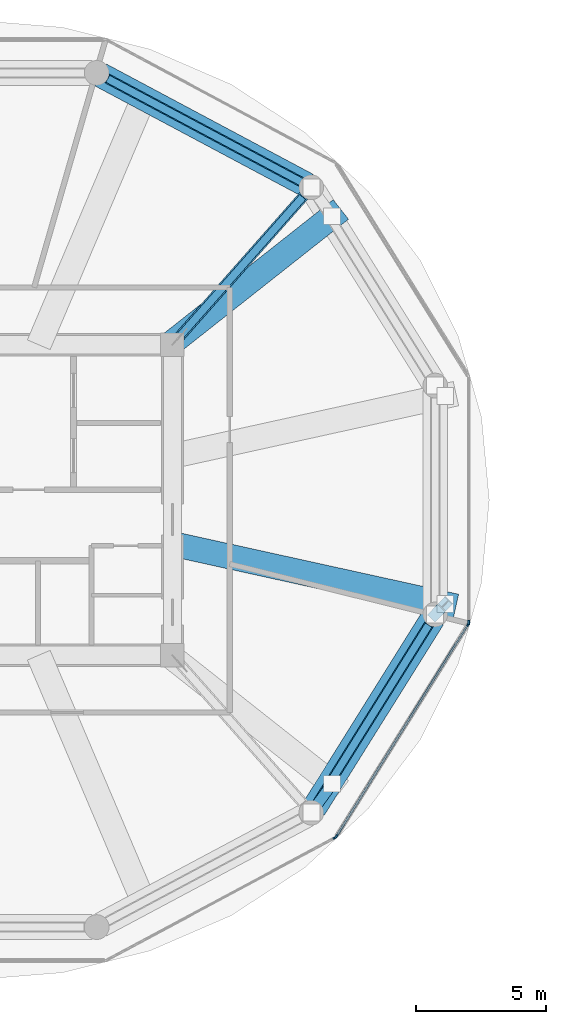
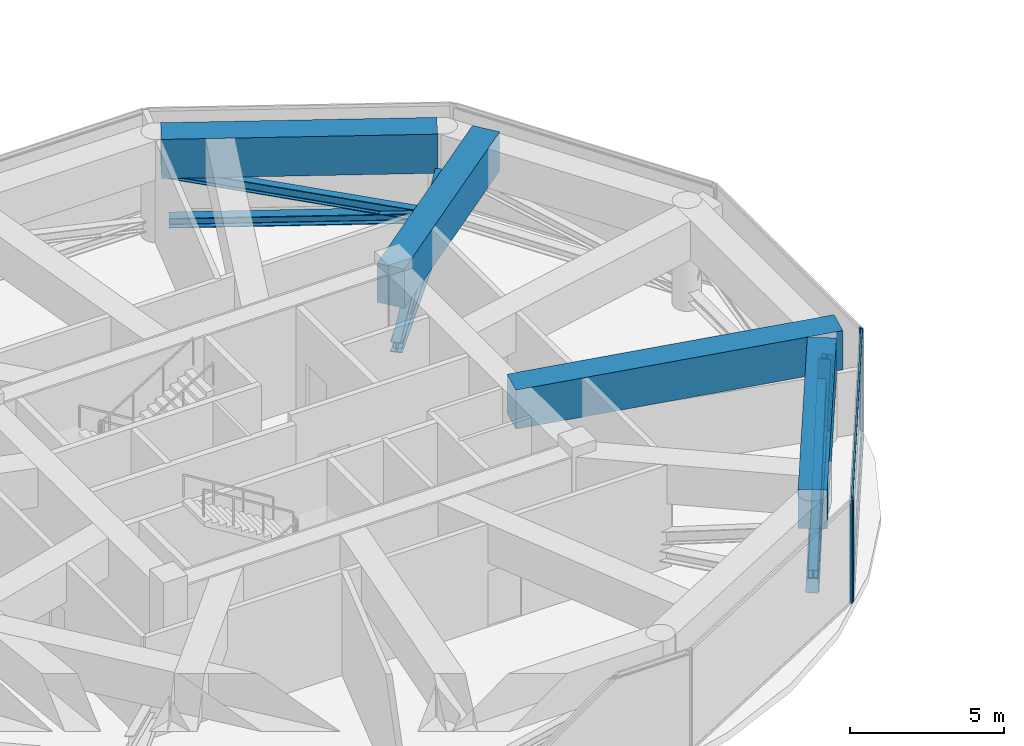
# One storey, part 5 of 22: 14 members, 4 beams, 3 elements without a shape of their own.
"""IFC4 building model written with IfcOpenShell, lengths in metres."""

from ifc_helpers import new_model, si_unit, direction, frame, origin, origin_2d, place, context, subcontext, project, spatial, rectangle, i_section, extrude, source, transform, mapped, material, layer, layer_set, material_profile, profile_set, type_object, type_shapes, element, aggregate, save


model = new_model("IFC4")

# Units and contexts
model_context = context("Model", 3, precision=1e-05, world=origin(), true_north=direction((0.0, 1.0)))
body_context = subcontext(model_context, "Body", "Model", "MODEL_VIEW")
ifc_project = project(units=[si_unit("LENGTHUNIT", "METRE"), si_unit("AREAUNIT", "SQUARE_METRE"), si_unit("VOLUMEUNIT", "CUBIC_METRE"), si_unit("PLANEANGLEUNIT", "RADIAN"), si_unit("MASSUNIT", "GRAM", prefix="KILO")], contexts=[model_context])

# Site, building, storey
site_placement = place(None, origin())
site = spatial("IfcSite", under=ifc_project, at=site_placement, CompositionType="ELEMENT")
building_placement = place(site_placement, origin())
building = spatial("IfcBuilding", under=site, at=building_placement, Name="Norrkilde Senior Care Towers", CompositionType="ELEMENT")
storey_placement = place(building_placement, frame((0.0, 0.0, 73.449951171875)))
storey = spatial("IfcBuildingStorey", under=building, at=storey_placement, Name="L22", CompositionType="ELEMENT", Elevation=73.449951171875)

# Beams
ifc_material_1 = material(Name="Concrete C60/75", Category="concrete")
ifc_material_profile_1 = material_profile(ifc_material_1, rectangle(XDim=0.949951171875, YDim=1.550048828125, at=origin_2d()), Name="RC TG 950x1550")
ifc_profile_set_1 = profile_set([ifc_material_profile_1], Name="Concrete C60/75")
beam_type = type_object("IfcBeamType", Name="Transfer Girder Zone Shift 950x1550", PredefinedType="USERDEFINED", material=ifc_profile_set_1)
shared_shape_1 = source(origin(), body_context, "Body", "SweptSolid", [
    extrude(rectangle(XDim=0.949951171875, YDim=1.550048828125, at=origin_2d()), origin(), (0.0, 0.0, 1.0), 8.6005859375),
])
beam_1_placement = place(storey_placement, frame((-14.92919921875, -11.832763671875, 3.304931640625), z_axis=(0.53002700696, 0.847980761511, 0.0), x_axis=(-0.847980761511, 0.53002700696, 0.0)))
element("IfcBeam", 1, at=beam_1_placement, inside=storey, type_object=beam_type, Name="L22 Drum W Zone Ring Transfer Girder 11", ObjectType="GIRDER", PredefinedType="USERDEFINED", context=body_context, shape_type="MappedRepresentation", body=[
    mapped(shared_shape_1, transform((0.0, 0.0, 0.0), x_axis=(1.0, 0.0, 0.0), y_axis=(0.0, 1.0, 0.0), z_axis=(0.0, 0.0, 1.0), scale=1.0)),
])
shared_shape_2 = source(origin(), body_context, "Body", "SweptSolid", [
    extrude(rectangle(XDim=0.949951171875, YDim=1.550048828125, at=origin_2d()), origin(), (0.0, 0.0, 1.0), 8.962890625),
])
beam_2_placement = place(storey_placement, frame((-15.183349609375, 12.070068359375, 3.304931640625), z_axis=(-0.882355957252, 0.470582580109, 0.0), x_axis=(-0.470582580109, -0.882355957252, 0.0)))
element("IfcBeam", 2, at=beam_2_placement, inside=storey, type_object=beam_type, Name="L22 Drum W Zone Ring Transfer Girder 02", ObjectType="GIRDER", PredefinedType="USERDEFINED", context=body_context, shape_type="MappedRepresentation", body=[
    mapped(shared_shape_2, transform((0.0, 0.0, 0.0), x_axis=(1.0, 0.0, 0.0), y_axis=(0.0, 1.0, 0.0), z_axis=(0.0, 0.0, 1.0), scale=1.0)),
])
shared_shape_3 = source(origin(), body_context, "Body", "SweptSolid", [
    extrude(rectangle(XDim=0.949951171875, YDim=1.550048828125, at=origin_2d()), origin(), (0.0, 0.0, 1.0), 11.12939453125),
])
beam_3_placement = place(storey_placement, frame((-20.35009765625, -1.683837890625, 3.304931640625), z_axis=(0.976618681418, -0.214978955029, 0.0), x_axis=(0.214978955029, 0.976618681418, 0.0)))
element("IfcBeam", 3, at=beam_3_placement, inside=storey, type_object=beam_type, Name="L22 Drum W Zone Transfer Girder 12", ObjectType="GIRDER", PredefinedType="USERDEFINED", context=body_context, shape_type="MappedRepresentation", body=[
    mapped(shared_shape_3, transform((0.0, 0.0, 0.0), x_axis=(1.0, 0.0, 0.0), y_axis=(0.0, 1.0, 0.0), z_axis=(0.0, 0.0, 1.0), scale=1.0)),
])

# Member
ifc_material_2 = material(Name="Steel S355", Category="steel")
ifc_material_profile_2 = material_profile(ifc_material_2, i_section(OverallWidth=0.412109375, OverallDepth=0.449951171875, WebThickness=0.028076171875, FlangeThickness=0.044921875, FilletRadius=0.014892578125, at=origin_2d()), Name="HD 400x509")
ifc_profile_set_2 = profile_set([ifc_material_profile_2], Name="Steel S355")
member_type_1 = type_object("IfcMemberType", Name="Pratt Bridge Truss Diagonal HD400x509", PredefinedType="BRACE", material=ifc_profile_set_2)
shared_shape_4 = source(origin(), body_context, "Body", "SweptSolid", [
    extrude(i_section(OverallWidth=0.412109375, OverallDepth=0.449951171875, WebThickness=0.028076171875, FlangeThickness=0.044921875, FilletRadius=0.014892578125, at=origin_2d()), origin(), (0.0, 0.0, 1.0), 2.73681640625),
])
member_1_placement = place(storey_placement, frame((-10.275146484375, -4.386962890625, 0.150146484375), z_axis=(0.140320627071, 0.146475823045, 0.979211394379), x_axis=(-0.722116345389, 0.691771626855, 0.0)))
element("IfcMember", 4, at=member_1_placement, inside=storey, type_object=member_type_1, Name="L22 Drum W Zone Transfer Raking Strut 12", PredefinedType="BRACE", context=body_context, shape_type="MappedRepresentation", body=[
    mapped(shared_shape_4, transform((0.0, 0.0, 0.0), x_axis=(1.0, 0.0, 0.0), y_axis=(0.0, 1.0, 0.0), z_axis=(0.0, 0.0, 1.0), scale=1.0)),
])

# Beam
shared_shape_5 = source(origin(), body_context, "Body", "SweptSolid", [
    extrude(rectangle(XDim=0.949951171875, YDim=1.550048828125, at=origin_2d()), origin(), (0.0, 0.0, 1.0), 8.37060546875),
])
type_shapes(beam_type, [shared_shape_1, shared_shape_2, shared_shape_3, shared_shape_5])
beam_4_placement = place(storey_placement, frame((-20.463623046875, 5.949951171875, 3.304931640625), z_axis=(0.784864847348, 0.619666984272, 0.0), x_axis=(-0.619666984272, 0.784864847348, 0.0)))
element("IfcBeam", 5, at=beam_4_placement, inside=storey, type_object=beam_type, Name="L22 Drum W Zone Transfer Girder 02", ObjectType="GIRDER", PredefinedType="USERDEFINED", context=body_context, shape_type="MappedRepresentation", body=[
    mapped(shared_shape_5, transform((0.0, 0.0, 0.0), x_axis=(1.0, 0.0, 0.0), y_axis=(0.0, 1.0, 0.0), z_axis=(0.0, 0.0, 1.0), scale=1.0)),
])

# Members
shared_shape_6 = source(origin(), body_context, "Body", "SweptSolid", [
    extrude(i_section(OverallWidth=0.412109375, OverallDepth=0.449951171875, WebThickness=0.028076171875, FlangeThickness=0.044921875, FilletRadius=0.014892578125, at=origin_2d()), origin(), (0.0, 0.0, 1.0), 3.0087890625),
])
type_shapes(member_type_1, [shared_shape_4, shared_shape_6])
member_2_placement = place(storey_placement, frame((-15.024658203125, -11.9853515625, 0.150146484375), z_axis=(0.266304591803, 0.368461045514, 0.890684187758), x_axis=(-0.810476806317, 0.585770728547, 0.0)))
element("IfcMember", 6, at=member_2_placement, inside=storey, type_object=member_type_1, Name="L22 Drum W Zone Transfer Raking Strut 11", PredefinedType="BRACE", context=body_context, shape_type="MappedRepresentation", body=[
    mapped(shared_shape_6, transform((0.0, 0.0, 0.0), x_axis=(1.0, 0.0, 0.0), y_axis=(0.0, 1.0, 0.0), z_axis=(0.0, 0.0, 1.0), scale=1.0)),
])
ifc_material_profile_3 = material_profile(ifc_material_2, i_section(OverallWidth=0.3740234375, OverallDepth=0.386962890625, WebThickness=0.01611328125, FlangeThickness=0.027099609375, FilletRadius=0.014892578125, at=origin_2d()), Name="HD 360x262")
ifc_profile_set_3 = profile_set([ifc_material_profile_3], Name="Steel S355")
member_type_2 = type_object("IfcMemberType", Name="Belt Truss Ring Chord HD360x262", PredefinedType="CHORD", material=ifc_profile_set_3)
shared_shape_7 = source(origin(), body_context, "Body", "SweptSolid", [
    extrude(i_section(OverallWidth=0.3740234375, OverallDepth=0.386962890625, WebThickness=0.01611328125, FlangeThickness=0.027099609375, FilletRadius=0.014892578125, at=origin_2d()), origin(), (0.0, 0.0, 1.0), 8.090576171875),
])
member_3_placement = place(storey_placement, frame((-14.7939453125, -11.61669921875, 0.550048828125), z_axis=(0.530004364821, 0.84799491347, 0.0), x_axis=(-0.84799491347, 0.530004364821, 0.0)))
element("IfcMember", 7, at=member_3_placement, inside=storey, type_object=member_type_2, Name="L22 Drum W Belt Truss Bottom Chord 11", PredefinedType="CHORD", context=body_context, shape_type="MappedRepresentation", body=[
    mapped(shared_shape_7, transform((0.0, 0.0, 0.0), x_axis=(1.0, 0.0, 0.0), y_axis=(0.0, 1.0, 0.0), z_axis=(0.0, 0.0, 1.0), scale=1.0)),
])
ifc_material_profile_4 = material_profile(ifc_material_2, i_section(OverallWidth=0.300048828125, OverallDepth=0.39990234375, WebThickness=0.013427734375, FlangeThickness=0.02392578125, FilletRadius=0.027099609375, at=origin_2d()), Name="HEB 400")
ifc_profile_set_4 = profile_set([ifc_material_profile_4], Name="Steel S355")
member_type_3 = type_object("IfcMemberType", Name="Belt Truss Diagonal HEB400", PredefinedType="BRACE", material=ifc_profile_set_4)
shared_shape_8 = source(origin(), body_context, "Body", "SweptSolid", [
    extrude(i_section(OverallWidth=0.300048828125, OverallDepth=0.39990234375, WebThickness=0.013427734375, FlangeThickness=0.02392578125, FilletRadius=0.027099609375, at=origin_2d()), origin(), (0.0, 0.0, 1.0), 8.317626953125),
])
member_4_placement = place(storey_placement, frame((-14.7939453125, -11.61669921875, 0.550048828125), z_axis=(0.515540041994, 0.824852326355, 0.232028241401), x_axis=(-0.84799491347, 0.530004364821, 0.0)))
element("IfcMember", 8, at=member_4_placement, inside=storey, type_object=member_type_3, Name="L22 Drum W Belt Truss Diagonal 11", PredefinedType="BRACE", context=body_context, shape_type="MappedRepresentation", body=[
    mapped(shared_shape_8, transform((0.0, 0.0, 0.0), x_axis=(1.0, 0.0, 0.0), y_axis=(0.0, 1.0, 0.0), z_axis=(0.0, 0.0, 1.0), scale=1.0)),
])
shared_shape_9 = source(origin(), body_context, "Body", "SweptSolid", [
    extrude(i_section(OverallWidth=0.3740234375, OverallDepth=0.386962890625, WebThickness=0.01611328125, FlangeThickness=0.027099609375, FilletRadius=0.014892578125, at=origin_2d()), origin(), (0.0, 0.0, 1.0), 8.452880859375),
])
type_shapes(member_type_2, [shared_shape_7, shared_shape_9])
member_5_placement = place(storey_placement, frame((-15.408447265625, 12.190185546875, 0.550048828125), z_axis=(-0.882368931134, 0.470558252898, 0.0), x_axis=(-0.470558252898, -0.882368931134, 0.0)))
element("IfcMember", 9, at=member_5_placement, inside=storey, type_object=member_type_2, Name="L22 Drum W Belt Truss Bottom Chord 02", PredefinedType="CHORD", context=body_context, shape_type="MappedRepresentation", body=[
    mapped(shared_shape_9, transform((0.0, 0.0, 0.0), x_axis=(1.0, 0.0, 0.0), y_axis=(0.0, 1.0, 0.0), z_axis=(0.0, 0.0, 1.0), scale=1.0)),
])
shared_shape_10 = source(origin(), body_context, "Body", "SweptSolid", [
    extrude(i_section(OverallWidth=0.300048828125, OverallDepth=0.39990234375, WebThickness=0.013427734375, FlangeThickness=0.02392578125, FilletRadius=0.027099609375, at=origin_2d()), origin(), (0.0, 0.0, 1.0), 8.67041015625),
])
type_shapes(member_type_3, [shared_shape_8, shared_shape_10])
member_6_placement = place(storey_placement, frame((-15.408447265625, 12.190185546875, 0.550048828125), z_axis=(-0.860232119374, 0.458752919438, 0.222590340545), x_axis=(-0.470558252898, -0.882368931134, 0.0)))
element("IfcMember", 10, at=member_6_placement, inside=storey, type_object=member_type_3, Name="L22 Drum W Belt Truss Diagonal 02", PredefinedType="BRACE", context=body_context, shape_type="MappedRepresentation", body=[
    mapped(shared_shape_10, transform((0.0, 0.0, 0.0), x_axis=(1.0, 0.0, 0.0), y_axis=(0.0, 1.0, 0.0), z_axis=(0.0, 0.0, 1.0), scale=1.0)),
])
ifc_material_profile_5 = material_profile(ifc_material_2, i_section(OverallWidth=0.402099609375, OverallDepth=0.419921875, WebThickness=0.02001953125, FlangeThickness=0.032958984375, FilletRadius=0.014892578125, at=origin_2d()), Name="HD 400x347")
ifc_profile_set_5 = profile_set([ifc_material_profile_5], Name="Steel S355")
member_type_4 = type_object("IfcMemberType", Name="Outrigger Truss Chord HD400x347", PredefinedType="CHORD", material=ifc_profile_set_5)
shared_shape_11 = source(origin(), body_context, "Body", "SweptSolid", [
    extrude(i_section(OverallWidth=0.402099609375, OverallDepth=0.419921875, WebThickness=0.02001953125, FlangeThickness=0.032958984375, FilletRadius=0.014892578125, at=origin_2d()), origin(), (0.0, 0.0, 1.0), 7.203857421875),
])
type_shapes(member_type_4, [shared_shape_11])
member_7_placement = place(storey_placement, frame((-20.07861328125, 6.25732421875, 0.550048828125), z_axis=(0.661603702805, 0.74985367935, 0.0), x_axis=(-0.74985367935, 0.661603702805, 0.0)))
element("IfcMember", 11, at=member_7_placement, inside=storey, type_object=member_type_4, Name="L22 Drum W Outrigger Chord 3", PredefinedType="CHORD", context=body_context, shape_type="MappedRepresentation", body=[
    mapped(shared_shape_11, transform((0.0, 0.0, 0.0), x_axis=(1.0, 0.0, 0.0), y_axis=(0.0, 1.0, 0.0), z_axis=(0.0, 0.0, 1.0), scale=1.0)),
])
ifc_material_profile_6 = material_profile(ifc_material_2, i_section(OverallWidth=0.300048828125, OverallDepth=0.5, WebThickness=0.014404296875, FlangeThickness=0.028076171875, FilletRadius=0.027099609375, at=origin_2d()), Name="HEB 500")
ifc_profile_set_6 = profile_set([ifc_material_profile_6], Name="Steel S355")
member_type_5 = type_object("IfcMemberType", Name="Outrigger Truss Diagonal HEB500", PredefinedType="BRACE", material=ifc_profile_set_6)
shared_shape_12 = source(origin(), body_context, "Body", "SweptSolid", [
    extrude(i_section(OverallWidth=0.300048828125, OverallDepth=0.5, WebThickness=0.014404296875, FlangeThickness=0.028076171875, FilletRadius=0.027099609375, at=origin_2d()), origin(), (0.0, 0.0, 1.0), 7.4580078125),
])
type_shapes(member_type_5, [shared_shape_12])
member_8_placement = place(storey_placement, frame((-20.07861328125, 6.25732421875, 0.550048828125), z_axis=(0.639067688082, 0.724311631314, 0.258776256239), x_axis=(-0.74985367935, 0.661603702805, 0.0)))
element("IfcMember", 12, at=member_8_placement, inside=storey, type_object=member_type_5, Name="L22 Drum W Outrigger Diagonal 3", PredefinedType="BRACE", context=body_context, shape_type="MappedRepresentation", body=[
    mapped(shared_shape_12, transform((0.0, 0.0, 0.0), x_axis=(1.0, 0.0, 0.0), y_axis=(0.0, 1.0, 0.0), z_axis=(0.0, 0.0, 1.0), scale=1.0)),
])

# Curtain wall, member
ifc_material_3 = material(Name="Triple Low-E Insulated Glazing", Category="glass")
ifc_layer = layer(ifc_material_3, 0.18505859375)
ifc_layer_set = layer_set([ifc_layer], Name="Triple Low-E Insulated Glazing")
curtain_wall_type = type_object("IfcCurtainWallType", Name="CW6 Zone 4 Crown Pavilion Curtain Wall", PredefinedType="NOTDEFINED", material=ifc_layer_set)
curtain_wall_1_placement = place(storey_placement, origin())
curtain_wall_1 = element("IfcCurtainWall", 13, at=curtain_wall_1_placement, inside=storey, type_object=curtain_wall_type, Name="L22 Drum W Curtain Wall 09", PredefinedType="NOTDEFINED")
ifc_material_4 = material(Name="Anodised Aluminium", Category="aluminium")
ifc_material_profile_7 = material_profile(ifc_material_4, rectangle(XDim=0.070068359375, YDim=0.169921875, at=origin_2d()), Name="ALU MULL 70x170")
ifc_profile_set_7 = profile_set([ifc_material_profile_7], Name="Anodised Aluminium")
member_type_6 = type_object("IfcMemberType", Name="Curtain Wall Mullion Heavy 70x170", PredefinedType="MULLION", material=ifc_profile_set_7)
shared_shape_13 = source(origin(), body_context, "Body", "SweptSolid", [
    extrude(rectangle(XDim=0.070068359375, YDim=0.169921875, at=origin_2d()), origin(), (0.0, 0.0, 1.0), 4.080078125),
])
type_shapes(member_type_6, [shared_shape_13])
member_9_placement = place(storey_placement, frame((-14.114990234375, -12.9423828125, 0.0), z_axis=(0.0, 0.0, 1.0), x_axis=(0.472607802456, -0.881272866403, 0.0)))
member_9 = element("IfcMember", 14, at=member_9_placement, type_object=member_type_6, Name="CW-6 mullion 1", PredefinedType="MULLION", context=body_context, shape_type="MappedRepresentation", body=[
    mapped(shared_shape_13, transform((0.0, 0.0, 0.0), x_axis=(1.0, 0.0, 0.0), y_axis=(0.0, 1.0, 0.0), z_axis=(0.0, 0.0, 1.0), scale=1.0)),
])
aggregate(curtain_wall_1, [member_9])

# Curtain wall, members
curtain_wall_2_placement = place(storey_placement, origin())
curtain_wall_2 = element("IfcCurtainWall", 15, at=curtain_wall_2_placement, inside=storey, type_object=curtain_wall_type, Name="L22 Drum W Curtain Wall 10", PredefinedType="NOTDEFINED")
member_10_placement = place(storey_placement, frame((-9.009033203125, -4.760986328125, 0.0), z_axis=(0.0, 0.0, 1.0), x_axis=(0.849305943117, -0.527900951871, 0.0)))
member_10 = element("IfcMember", 16, at=member_10_placement, type_object=member_type_6, Name="CW-6 mullion 1", PredefinedType="MULLION", context=body_context, shape_type="MappedRepresentation", body=[
    mapped(shared_shape_13, transform((0.0, 0.0, 0.0), x_axis=(1.0, 0.0, 0.0), y_axis=(0.0, 1.0, 0.0), z_axis=(0.0, 0.0, 1.0), scale=1.0)),
])
member_11_placement = place(storey_placement, frame((-14.065673828125, -12.896240234375, 0.0), z_axis=(0.0, 0.0, 1.0), x_axis=(0.849305943117, -0.527900951871, 0.0)))
member_11 = element("IfcMember", 17, at=member_11_placement, type_object=member_type_6, Name="CW-6 mullion 2", PredefinedType="MULLION", context=body_context, shape_type="MappedRepresentation", body=[
    mapped(shared_shape_13, transform((0.0, 0.0, 0.0), x_axis=(1.0, 0.0, 0.0), y_axis=(0.0, 1.0, 0.0), z_axis=(0.0, 0.0, 1.0), scale=1.0)),
])

# Curtain wall, member
curtain_wall_3_placement = place(storey_placement, origin())
curtain_wall_3 = element("IfcCurtainWall", 18, at=curtain_wall_3_placement, inside=storey, type_object=curtain_wall_type, Name="L22 Drum W Curtain Wall 11", PredefinedType="NOTDEFINED")
member_12_placement = place(storey_placement, frame((-8.990478515625, -4.6962890625, 0.0), z_axis=(0.0, 0.0, 1.0), x_axis=(1.0, 0.0, 0.0)))
member_12 = element("IfcMember", 19, at=member_12_placement, type_object=member_type_6, Name="CW-6 mullion 2", PredefinedType="MULLION", context=body_context, shape_type="MappedRepresentation", body=[
    mapped(shared_shape_13, transform((0.0, 0.0, 0.0), x_axis=(1.0, 0.0, 0.0), y_axis=(0.0, 1.0, 0.0), z_axis=(0.0, 0.0, 1.0), scale=1.0)),
])
aggregate(curtain_wall_3, [member_12])

# Member
ifc_material_profile_8 = material_profile(ifc_material_4, rectangle(XDim=0.06494140625, YDim=0.1298828125, at=origin_2d()), Name="ALU TRAN 65x130")
ifc_profile_set_8 = profile_set([ifc_material_profile_8], Name="Anodised Aluminium")
member_type_7 = type_object("IfcMemberType", Name="Curtain Wall Transom Heavy 65x130", PredefinedType="USERDEFINED", material=ifc_profile_set_8)
shared_shape_14 = source(origin(), body_context, "Body", "SweptSolid", [
    extrude(rectangle(XDim=0.06494140625, YDim=0.1298828125, at=origin_2d()), origin(), (0.0, 0.0, 1.0), 9.508544921875),
])
type_shapes(member_type_7, [shared_shape_14])
member_13_placement = place(storey_placement, frame((-9.027587890625, -4.790771484375, 0.032470703125), z_axis=(-0.527897081271, -0.849308348944, 0.0), x_axis=(0.849308348944, -0.527897081271, 0.0)))
member_13 = element("IfcMember", 20, at=member_13_placement, type_object=member_type_7, Name="CW-6 transom 1.1", ObjectType="TRANSOM", PredefinedType="USERDEFINED", context=body_context, shape_type="MappedRepresentation", body=[
    mapped(shared_shape_14, transform((0.0, 0.0, 0.0), x_axis=(1.0, 0.0, 0.0), y_axis=(0.0, 1.0, 0.0), z_axis=(0.0, 0.0, 1.0), scale=1.0)),
])

member_14_placement = place(storey_placement, frame((-9.027587890625, -4.790771484375, 4.047607421875), z_axis=(-0.527897081271, -0.849308348944, 0.0), x_axis=(0.849308348944, -0.527897081271, 0.0)))
member_14 = element("IfcMember", 21, at=member_14_placement, type_object=member_type_7, Name="CW-6 transom 1.2", ObjectType="TRANSOM", PredefinedType="USERDEFINED", context=body_context, shape_type="MappedRepresentation", body=[
    mapped(shared_shape_14, transform((0.0, 0.0, 0.0), x_axis=(1.0, 0.0, 0.0), y_axis=(0.0, 1.0, 0.0), z_axis=(0.0, 0.0, 1.0), scale=1.0)),
])

aggregate(curtain_wall_2, [member_10, member_11, member_13, member_14])

save(model, "model.ifc")
